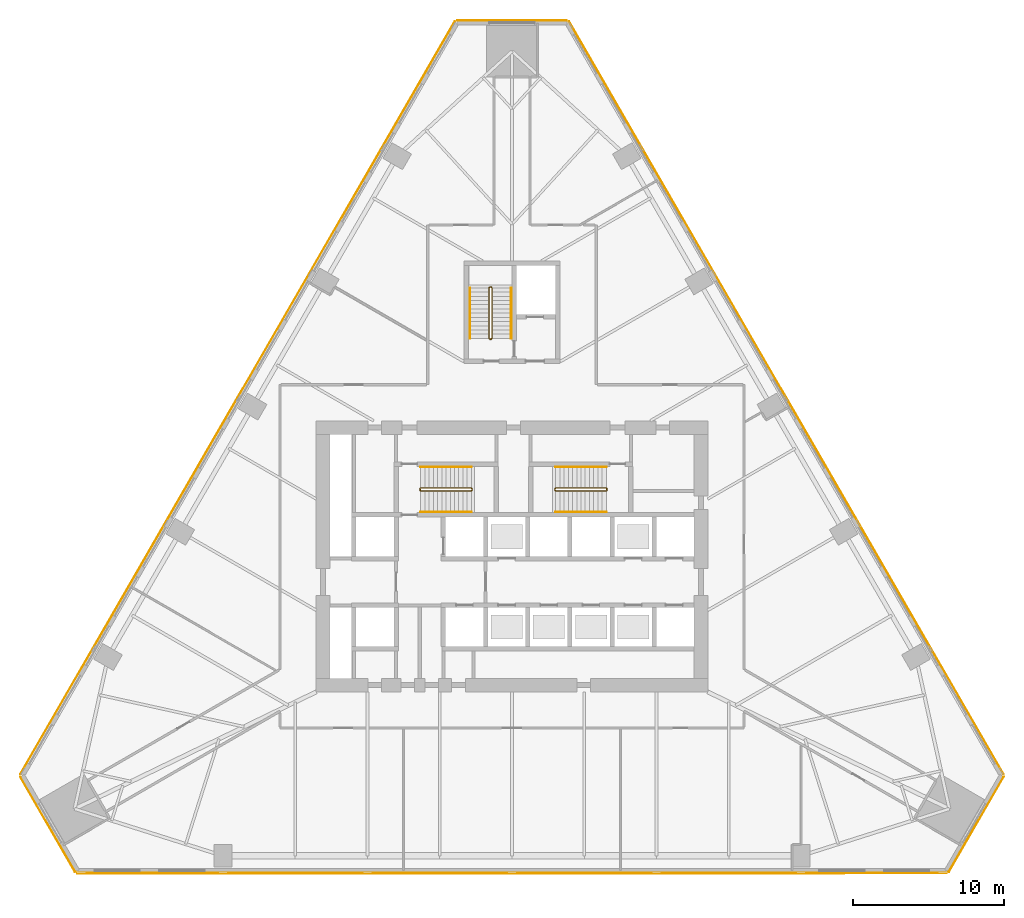
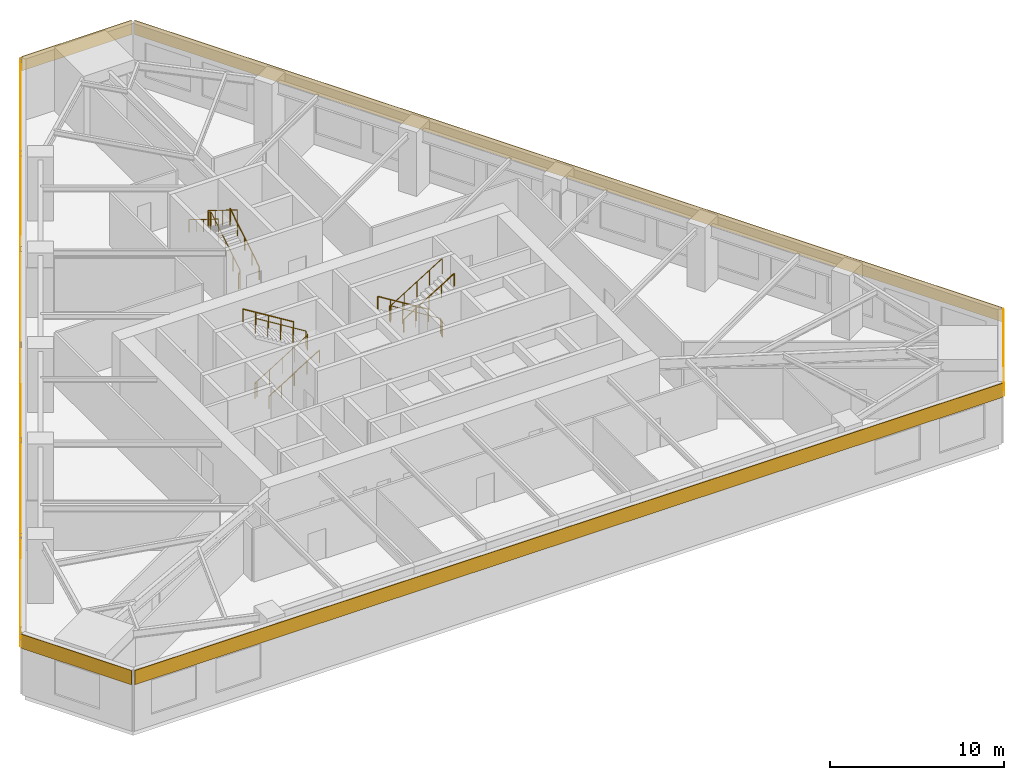
# One storey, part 13 of 14: 9 railings, 6 coverings.
"""IFC4 building model written with IfcOpenShell, lengths in metres."""

from ifc_helpers import new_model, si_unit, direction, frame, origin, origin_2d, place, context, subcontext, project, spatial, polyline, circle, outline, extrude, material, layer, layer_set, type_object, element, save


model = new_model("IFC4")

# Units and contexts
model_context = context("Model", 3, precision=1e-05, world=origin(), true_north=direction((0.0, 1.0)))
body_context = subcontext(model_context, "Body", "Model", "MODEL_VIEW")
ifc_project = project(units=[si_unit("LENGTHUNIT", "METRE"), si_unit("AREAUNIT", "SQUARE_METRE"), si_unit("VOLUMEUNIT", "CUBIC_METRE"), si_unit("PLANEANGLEUNIT", "RADIAN"), si_unit("MASSUNIT", "GRAM", prefix="KILO")], contexts=[model_context])

# Site, building, storey
site_placement = place(None, origin())
site = spatial("IfcSite", under=ifc_project, at=site_placement, CompositionType="ELEMENT")
building_placement = place(site_placement, origin())
building = spatial("IfcBuilding", under=site, at=building_placement, Name="Firuza Gate Tower and Library", CompositionType="ELEMENT")
storey_placement = place(building_placement, frame((0.0, 0.0, 35.5)))
storey = spatial("IfcBuildingStorey", under=building, at=storey_placement, Name="L07", CompositionType="ELEMENT", Elevation=35.5)

# Coverings
ifc_material_1 = material(Name="Glazed ceramic tile, cobalt")
ifc_layer_1 = layer(ifc_material_1, 0.0400390625)
ifc_layer_set_1 = layer_set([ifc_layer_1], Name="Cobalt glazed tile band 40")
covering_type_1 = type_object("IfcCoveringType", Name="Cobalt glazed tile band 40", PredefinedType="CLADDING", material=ifc_layer_set_1)
covering_1_placement = place(storey_placement, frame((46.14794921875, 53.935302734375, 3.300048828125), z_axis=(0.0, -1.0, 0.0), x_axis=(1.0, 0.0, 0.0)))
element("IfcCovering", 1, at=covering_1_placement, inside=storey, type_object=covering_type_1, Name="Glazed tile band", PredefinedType="CLADDING", context=body_context, shape_type="SweptSolid", body=[
    extrude(outline(polyline([(0.0, 0.0), (57.7041015625, 0.0), (57.7041015625, 1.0), (0.0, 1.0), (0.0, 0.0)])), origin(), (0.0, 0.0, -1.0), 0.0400390625),
])
for number, where, z_axis, x_axis, name in (
    (2, (107.66845703125, 60.545654296875, 3.300048828125), (0.86602508611, 0.500000550228, 0.0), (-0.500000550228, 0.86602508611, 0.0), "Glazed tile band"),
    (3, (71.18359375, 110.518798828125, 3.300048828125), (-0.86602508611, 0.500000550228, 0.0), (-0.500000550228, -0.86602508611, 0.0), "Glazed tile band"),
):
    element("IfcCovering", number, at=place(storey_placement, frame(where, z_axis=z_axis, x_axis=x_axis)), inside=storey, type_object=covering_type_1, Name=name, PredefinedType="CLADDING", context=body_context, shape_type="SweptSolid", body=[
        extrude(outline(polyline([(0.0, 0.0), (57.70403806169055, 0.0), (57.70403806169055, 1.0), (0.0, 1.0), (0.0, 0.0)])), origin(), (0.0, 0.0, -1.0), 0.0400390625),
    ])

# Railings
ifc_material_2 = material(Name="Steel S355", Category="steel")
railing_type_1 = type_object("IfcRailingType", Name="Stair guard 1100", PredefinedType="GUARDRAIL", material=ifc_material_2)
railing_1_placement = place(storey_placement, frame((68.889892578125, 79.389892578125, 0.0)))
element("IfcRailing", 4, at=railing_1_placement, inside=storey, type_object=railing_type_1, Name="L07 ST1 stair guard 1", PredefinedType="GUARDRAIL", context=body_context, shape_type="SweptSolid", body=[
    extrude(circle(Radius=0.02392578125, at=origin_2d()), frame((0.0, 0.0, 1.076171875), z_axis=(0.0, 1.0, 0.0), x_axis=(-1.0, 0.0, 0.0)), (0.0, 0.0, 1.0), 0.10009765625),
    extrude(circle(Radius=0.02392578125, at=origin_2d()), frame((0.0, 0.10009765625, 1.076171875), z_axis=(0.213529850563, -0.639547942662, 0.73850080024), x_axis=(0.948528701346, 0.316691178788, 0.0)), (0.0, 0.0, 1.0), 0.234375),
    extrude(circle(Radius=0.02392578125, at=origin_2d()), frame((0.050048828125, -0.0498046875, 1.2490234375), z_axis=(0.850623216509, 0.0, 0.525775754039), x_axis=(0.0, 1.0, 0.0)), (0.0, 0.0, 1.0), 3.9501953125),
    extrude(circle(Radius=0.02392578125, at=origin_2d()), frame((3.41015625, -0.0498046875, 3.326171875), z_axis=(0.708833529934, 0.705375805398, 0.0), x_axis=(-0.705375805398, 0.708833529934, 0.0)), (0.0, 0.0, 1.0), 0.070556640625),
    extrude(circle(Radius=0.02392578125, at=origin_2d()), frame((3.460205078125, 0.0, 3.326171875), z_axis=(0.0, 1.0, 0.0), x_axis=(-1.0, 0.0, 0.0)), (0.0, 0.0, 1.0), 0.10009765625),
    extrude(circle(Radius=0.02392578125, at=origin_2d()), frame((3.460205078125, 0.10009765625, 3.326171875), z_axis=(-0.267629722418, 0.267629722418, 0.925607186314), x_axis=(-0.707106781187, -0.707106781187, 0.0)), (0.0, 0.0, 1.0), 0.18701171875),
    extrude(circle(Radius=0.02392578125, at=origin_2d()), frame((3.41015625, 0.150146484375, 3.4990234375), z_axis=(-0.850623216509, 0.0, 0.525775754039), x_axis=(0.0, -1.0, 0.0)), (0.0, 0.0, 1.0), 3.9501953125),
    extrude(circle(Radius=0.02099609375, at=origin_2d()), origin(), (0.0, 0.0, 1.0), 1.052001953125),
    extrude(circle(Radius=0.02099609375, at=origin_2d()), frame((0.0, 0.10009765625, 0.0)), (0.0, 0.0, 1.0), 1.052001953125),
    extrude(circle(Radius=0.02099609375, at=origin_2d()), frame((0.050048828125, -0.0498046875, 0.173095703125)), (0.0, 0.0, 1.0), 1.052001953125),
    extrude(circle(Radius=0.02099609375, at=origin_2d()), frame((0.89013671875, -0.0498046875, 0.6923828125)), (0.0, 0.0, 1.0), 1.052001953125),
    extrude(circle(Radius=0.02099609375, at=origin_2d()), frame((1.72998046875, -0.0498046875, 1.21142578125)), (0.0, 0.0, 1.0), 1.052001953125),
    extrude(circle(Radius=0.02099609375, at=origin_2d()), frame((2.570068359375, -0.0498046875, 1.730712890625)), (0.0, 0.0, 1.0), 1.052001953125),
    extrude(circle(Radius=0.02099609375, at=origin_2d()), frame((3.41015625, -0.0498046875, 2.25)), (0.0, 0.0, 1.0), 1.052001953125),
    extrude(circle(Radius=0.02099609375, at=origin_2d()), frame((3.460205078125, 0.0, 2.25)), (0.0, 0.0, 1.0), 1.052001953125),
    extrude(circle(Radius=0.02099609375, at=origin_2d()), frame((3.460205078125, 0.10009765625, 2.25)), (0.0, 0.0, 1.0), 1.052001953125),
    extrude(circle(Radius=0.02099609375, at=origin_2d()), frame((3.41015625, 0.150146484375, 2.423095703125)), (0.0, 0.0, 1.0), 1.052001953125),
    extrude(circle(Radius=0.02099609375, at=origin_2d()), frame((2.570068359375, 0.150146484375, 2.9423828125)), (0.0, 0.0, 1.0), 1.052001953125),
    extrude(circle(Radius=0.02099609375, at=origin_2d()), frame((1.72998046875, 0.150146484375, 3.46142578125)), (0.0, 0.0, 1.0), 1.052001953125),
    extrude(circle(Radius=0.02099609375, at=origin_2d()), frame((0.89013671875, 0.150146484375, 3.980712890625)), (0.0, 0.0, 1.0), 1.052001953125),
    extrude(circle(Radius=0.02099609375, at=origin_2d()), frame((0.050048828125, 0.150146484375, 4.5)), (0.0, 0.0, 1.0), 1.052001953125),
])
railing_2_placement = place(storey_placement, frame((81.31005859375, 79.489990234375, 0.0)))
element("IfcRailing", 5, at=railing_2_placement, inside=storey, type_object=railing_type_1, Name="L07 ST2 stair guard 1", PredefinedType="GUARDRAIL", context=body_context, shape_type="SweptSolid", body=[
    extrude(circle(Radius=0.02392578125, at=origin_2d()), frame((0.0, 0.0, 1.076171875), z_axis=(0.0, -1.0, 0.0), x_axis=(1.0, 0.0, 0.0)), (0.0, 0.0, 1.0), 0.10009765625),
    extrude(circle(Radius=0.02392578125, at=origin_2d()), frame((0.0, -0.10009765625, 1.076171875), z_axis=(-0.213387632126, 0.640162896378, 0.738008932572), x_axis=(-0.948683298051, -0.316227766017, 0.0)), (0.0, 0.0, 1.0), 0.234619140625),
    extrude(circle(Radius=0.02392578125, at=origin_2d()), frame((-0.050048828125, 0.050048828125, 1.2490234375), z_axis=(-0.850623216509, 0.0, 0.525775754039), x_axis=(0.0, -1.0, 0.0)), (0.0, 0.0, 1.0), 3.9501953125),
    extrude(circle(Radius=0.02392578125, at=origin_2d()), frame((-3.41015625, 0.050048828125, 3.326171875), z_axis=(-0.705375805398, -0.708833529934, 0.0), x_axis=(0.708833529934, -0.705375805398, 0.0)), (0.0, 0.0, 1.0), 0.070556640625),
    extrude(circle(Radius=0.02392578125, at=origin_2d()), frame((-3.4599609375, 0.0, 3.326171875), z_axis=(0.0, -1.0, 0.0), x_axis=(1.0, 0.0, 0.0)), (0.0, 0.0, 1.0), 0.10009765625),
    extrude(circle(Radius=0.02392578125, at=origin_2d()), frame((-3.4599609375, -0.10009765625, 3.326171875), z_axis=(0.26651005591, -0.26651005591, 0.926253086471), x_axis=(0.707106781187, 0.707106781187, 0.0)), (0.0, 0.0, 1.0), 0.186767578125),
    extrude(circle(Radius=0.02392578125, at=origin_2d()), frame((-3.41015625, -0.14990234375, 3.4990234375), z_axis=(0.850623216509, 0.0, 0.525775754039), x_axis=(0.0, 1.0, 0.0)), (0.0, 0.0, 1.0), 3.9501953125),
    extrude(circle(Radius=0.02099609375, at=origin_2d()), origin(), (0.0, 0.0, 1.0), 1.052001953125),
    extrude(circle(Radius=0.02099609375, at=origin_2d()), frame((0.0, -0.10009765625, 0.0)), (0.0, 0.0, 1.0), 1.052001953125),
    extrude(circle(Radius=0.02099609375, at=origin_2d()), frame((-0.050048828125, 0.050048828125, 0.173095703125)), (0.0, 0.0, 1.0), 1.052001953125),
    extrude(circle(Radius=0.02099609375, at=origin_2d()), frame((-0.89013671875, 0.050048828125, 0.6923828125)), (0.0, 0.0, 1.0), 1.052001953125),
    extrude(circle(Radius=0.02099609375, at=origin_2d()), frame((-1.72998046875, 0.050048828125, 1.21142578125)), (0.0, 0.0, 1.0), 1.052001953125),
    extrude(circle(Radius=0.02099609375, at=origin_2d()), frame((-2.570068359375, 0.050048828125, 1.730712890625)), (0.0, 0.0, 1.0), 1.052001953125),
    extrude(circle(Radius=0.02099609375, at=origin_2d()), frame((-3.41015625, 0.050048828125, 2.25)), (0.0, 0.0, 1.0), 1.052001953125),
    extrude(circle(Radius=0.02099609375, at=origin_2d()), frame((-3.4599609375, 0.0, 2.25)), (0.0, 0.0, 1.0), 1.052001953125),
    extrude(circle(Radius=0.02099609375, at=origin_2d()), frame((-3.4599609375, -0.10009765625, 2.25)), (0.0, 0.0, 1.0), 1.052001953125),
    extrude(circle(Radius=0.02099609375, at=origin_2d()), frame((-3.41015625, -0.14990234375, 2.423095703125)), (0.0, 0.0, 1.0), 1.052001953125),
    extrude(circle(Radius=0.02099609375, at=origin_2d()), frame((-2.570068359375, -0.14990234375, 2.9423828125)), (0.0, 0.0, 1.0), 1.052001953125),
    extrude(circle(Radius=0.02099609375, at=origin_2d()), frame((-1.72998046875, -0.14990234375, 3.46142578125)), (0.0, 0.0, 1.0), 1.052001953125),
    extrude(circle(Radius=0.02099609375, at=origin_2d()), frame((-0.89013671875, -0.14990234375, 3.980712890625)), (0.0, 0.0, 1.0), 1.052001953125),
    extrude(circle(Radius=0.02099609375, at=origin_2d()), frame((-0.050048828125, -0.14990234375, 4.5)), (0.0, 0.0, 1.0), 1.052001953125),
])
railing_3_placement = place(storey_placement, frame((73.6298828125, 89.419921875, 0.0)))
element("IfcRailing", 6, at=railing_3_placement, inside=storey, type_object=railing_type_1, Name="L07 ST3 stair guard 1", PredefinedType="GUARDRAIL", context=body_context, shape_type="SweptSolid", body=[
    extrude(circle(Radius=0.02392578125, at=origin_2d()), frame((0.0, 0.0, 1.076171875), z_axis=(-1.0, 0.0, 0.0), x_axis=(0.0, -1.0, 0.0)), (0.0, 0.0, 1.0), 0.099853515625),
    extrude(circle(Radius=0.02392578125, at=origin_2d()), frame((-0.099853515625, 0.0, 1.076171875), z_axis=(0.639547942662, 0.213529850563, 0.73850080024), x_axis=(-0.316691178788, 0.948528701346, 0.0)), (0.0, 0.0, 1.0), 0.234375),
    extrude(circle(Radius=0.02392578125, at=origin_2d()), frame((0.050048828125, 0.050048828125, 1.2490234375), z_axis=(0.0, 0.850623216509, 0.525775754039), x_axis=(-1.0, 0.0, 0.0)), (0.0, 0.0, 1.0), 3.9501953125),
    extrude(circle(Radius=0.02392578125, at=origin_2d()), frame((0.050048828125, 3.41015625, 3.326171875), z_axis=(-0.708833529934, 0.705375805398, 0.0), x_axis=(-0.705375805398, -0.708833529934, 0.0)), (0.0, 0.0, 1.0), 0.070556640625),
    extrude(circle(Radius=0.02392578125, at=origin_2d()), frame((0.0, 3.4599609375, 3.326171875), z_axis=(-1.0, 0.0, 0.0), x_axis=(0.0, -1.0, 0.0)), (0.0, 0.0, 1.0), 0.099853515625),
    extrude(circle(Radius=0.02392578125, at=origin_2d()), frame((-0.099853515625, 3.4599609375, 3.326171875), z_axis=(-0.267723051232, -0.266417085129, 0.925929967433), x_axis=(0.705375805398, -0.708833529934, 0.0)), (0.0, 0.0, 1.0), 0.18701171875),
    extrude(circle(Radius=0.02392578125, at=origin_2d()), frame((-0.14990234375, 3.41015625, 3.4990234375), z_axis=(0.0, -0.850623216509, 0.525775754039), x_axis=(1.0, 0.0, 0.0)), (0.0, 0.0, 1.0), 3.9501953125),
    extrude(circle(Radius=0.02099609375, at=origin_2d()), origin(), (0.0, 0.0, 1.0), 1.052001953125),
    extrude(circle(Radius=0.02099609375, at=origin_2d()), frame((-0.099853515625, 0.0, 0.0)), (0.0, 0.0, 1.0), 1.052001953125),
    extrude(circle(Radius=0.02099609375, at=origin_2d()), frame((0.050048828125, 0.050048828125, 0.173095703125)), (0.0, 0.0, 1.0), 1.052001953125),
    extrude(circle(Radius=0.02099609375, at=origin_2d()), frame((0.050048828125, 0.89013671875, 0.6923828125)), (0.0, 0.0, 1.0), 1.052001953125),
    extrude(circle(Radius=0.02099609375, at=origin_2d()), frame((0.050048828125, 1.72998046875, 1.21142578125)), (0.0, 0.0, 1.0), 1.052001953125),
    extrude(circle(Radius=0.02099609375, at=origin_2d()), frame((0.050048828125, 2.570068359375, 1.730712890625)), (0.0, 0.0, 1.0), 1.052001953125),
    extrude(circle(Radius=0.02099609375, at=origin_2d()), frame((0.050048828125, 3.41015625, 2.25)), (0.0, 0.0, 1.0), 1.052001953125),
    extrude(circle(Radius=0.02099609375, at=origin_2d()), frame((0.0, 3.4599609375, 2.25)), (0.0, 0.0, 1.0), 1.052001953125),
    extrude(circle(Radius=0.02099609375, at=origin_2d()), frame((-0.099853515625, 3.4599609375, 2.25)), (0.0, 0.0, 1.0), 1.052001953125),
    extrude(circle(Radius=0.02099609375, at=origin_2d()), frame((-0.14990234375, 3.41015625, 2.423095703125)), (0.0, 0.0, 1.0), 1.052001953125),
    extrude(circle(Radius=0.02099609375, at=origin_2d()), frame((-0.14990234375, 2.570068359375, 2.9423828125)), (0.0, 0.0, 1.0), 1.052001953125),
    extrude(circle(Radius=0.02099609375, at=origin_2d()), frame((-0.14990234375, 1.72998046875, 3.46142578125)), (0.0, 0.0, 1.0), 1.052001953125),
    extrude(circle(Radius=0.02099609375, at=origin_2d()), frame((-0.14990234375, 0.89013671875, 3.980712890625)), (0.0, 0.0, 1.0), 1.052001953125),
    extrude(circle(Radius=0.02099609375, at=origin_2d()), frame((-0.14990234375, 0.050048828125, 4.5)), (0.0, 0.0, 1.0), 1.052001953125),
])
ifc_material_3 = material(Name="Steel S355", Category="steel")
railing_type_2 = type_object("IfcRailingType", Name="Stair handrail 900", PredefinedType="HANDRAIL", material=ifc_material_3)
railing_4_placement = place(storey_placement, frame((68.93994140625, 77.949951171875, 0.173095703125)))
element("IfcRailing", 7, at=railing_4_placement, inside=storey, type_object=railing_type_2, Name="L07 ST1 stair handrail 1", PredefinedType="HANDRAIL", context=body_context, shape_type="SweptSolid", body=[
    extrude(circle(Radius=0.02392578125, at=origin_2d()), frame((0.0, 0.0, 0.8759765625), z_axis=(0.850623216509, 0.0, 0.525775754039), x_axis=(0.0, 1.0, 0.0)), (0.0, 0.0, 1.0), 3.9501953125),
    extrude(circle(Radius=0.02099609375, at=origin_2d()), origin(), (0.0, 0.0, 1.0), 0.851806640625),
    extrude(circle(Radius=0.02099609375, at=origin_2d()), frame((0.840087890625, 0.0, 0.519287109375)), (0.0, 0.0, 1.0), 0.851806640625),
    extrude(circle(Radius=0.02099609375, at=origin_2d()), frame((1.68017578125, 0.0, 1.03857421875)), (0.0, 0.0, 1.0), 0.851806640625),
    extrude(circle(Radius=0.02099609375, at=origin_2d()), frame((2.52001953125, 0.0, 1.5576171875)), (0.0, 0.0, 1.0), 0.851806640625),
    extrude(circle(Radius=0.02099609375, at=origin_2d()), frame((3.360107421875, 0.0, 2.076904296875)), (0.0, 0.0, 1.0), 0.851806640625),
])
for number, where, name in (
    (8, (72.300048828125, 80.929931640625, 2.423095703125), "L07 ST1 stair handrail 2"),
    (9, (81.260009765625, 80.929931640625, 0.173095703125), "L07 ST2 stair handrail 1"),
):
    element("IfcRailing", number, at=place(storey_placement, frame(where)), inside=storey, type_object=railing_type_2, Name=name, PredefinedType="HANDRAIL", context=body_context, shape_type="SweptSolid", body=[
        extrude(circle(Radius=0.02392578125, at=origin_2d()), frame((0.0, 0.0, 0.8759765625), z_axis=(-0.850623216509, 0.0, 0.525775754039), x_axis=(0.0, -1.0, 0.0)), (0.0, 0.0, 1.0), 3.9501953125),
        extrude(circle(Radius=0.02099609375, at=origin_2d()), origin(), (0.0, 0.0, 1.0), 0.851806640625),
        extrude(circle(Radius=0.02099609375, at=origin_2d()), frame((-0.840087890625, 0.0, 0.519287109375)), (0.0, 0.0, 1.0), 0.851806640625),
        extrude(circle(Radius=0.02099609375, at=origin_2d()), frame((-1.68017578125, 0.0, 1.03857421875)), (0.0, 0.0, 1.0), 0.851806640625),
        extrude(circle(Radius=0.02099609375, at=origin_2d()), frame((-2.52001953125, 0.0, 1.5576171875)), (0.0, 0.0, 1.0), 0.851806640625),
        extrude(circle(Radius=0.02099609375, at=origin_2d()), frame((-3.360107421875, 0.0, 2.076904296875)), (0.0, 0.0, 1.0), 0.851806640625),
    ])
railing_5_placement = place(storey_placement, frame((77.89990234375, 77.949951171875, 2.423095703125)))
element("IfcRailing", 10, at=railing_5_placement, inside=storey, type_object=railing_type_2, Name="L07 ST2 stair handrail 2", PredefinedType="HANDRAIL", context=body_context, shape_type="SweptSolid", body=[
    extrude(circle(Radius=0.02392578125, at=origin_2d()), frame((0.0, 0.0, 0.8759765625), z_axis=(0.850623216509, 0.0, 0.525775754039), x_axis=(0.0, 1.0, 0.0)), (0.0, 0.0, 1.0), 3.9501953125),
    extrude(circle(Radius=0.02099609375, at=origin_2d()), origin(), (0.0, 0.0, 1.0), 0.851806640625),
    extrude(circle(Radius=0.02099609375, at=origin_2d()), frame((0.840087890625, 0.0, 0.519287109375)), (0.0, 0.0, 1.0), 0.851806640625),
    extrude(circle(Radius=0.02099609375, at=origin_2d()), frame((1.68017578125, 0.0, 1.03857421875)), (0.0, 0.0, 1.0), 0.851806640625),
    extrude(circle(Radius=0.02099609375, at=origin_2d()), frame((2.52001953125, 0.0, 1.5576171875)), (0.0, 0.0, 1.0), 0.851806640625),
    extrude(circle(Radius=0.02099609375, at=origin_2d()), frame((3.360107421875, 0.0, 2.076904296875)), (0.0, 0.0, 1.0), 0.851806640625),
])
railing_6_placement = place(storey_placement, frame((74.949951171875, 89.469970703125, 0.173095703125)))
element("IfcRailing", 11, at=railing_6_placement, inside=storey, type_object=railing_type_2, Name="L07 ST3 stair handrail 1", PredefinedType="HANDRAIL", context=body_context, shape_type="SweptSolid", body=[
    extrude(circle(Radius=0.02392578125, at=origin_2d()), frame((0.0, 0.0, 0.8759765625), z_axis=(0.0, 0.850623216509, 0.525775754039), x_axis=(-1.0, 0.0, 0.0)), (0.0, 0.0, 1.0), 3.9501953125),
    extrude(circle(Radius=0.02099609375, at=origin_2d()), origin(), (0.0, 0.0, 1.0), 0.851806640625),
    extrude(circle(Radius=0.02099609375, at=origin_2d()), frame((0.0, 0.840087890625, 0.519287109375)), (0.0, 0.0, 1.0), 0.851806640625),
    extrude(circle(Radius=0.02099609375, at=origin_2d()), frame((0.0, 1.68017578125, 1.03857421875)), (0.0, 0.0, 1.0), 0.851806640625),
    extrude(circle(Radius=0.02099609375, at=origin_2d()), frame((0.0, 2.52001953125, 1.5576171875)), (0.0, 0.0, 1.0), 0.851806640625),
    extrude(circle(Radius=0.02099609375, at=origin_2d()), frame((0.0, 3.360107421875, 2.076904296875)), (0.0, 0.0, 1.0), 0.851806640625),
])
railing_7_placement = place(storey_placement, frame((72.2099609375, 92.830078125, 2.423095703125)))
element("IfcRailing", 12, at=railing_7_placement, inside=storey, type_object=railing_type_2, Name="L07 ST3 stair handrail 2", PredefinedType="HANDRAIL", context=body_context, shape_type="SweptSolid", body=[
    extrude(circle(Radius=0.02392578125, at=origin_2d()), frame((0.0, 0.0, 0.8759765625), z_axis=(0.0, -0.850623216509, 0.525775754039), x_axis=(1.0, 0.0, 0.0)), (0.0, 0.0, 1.0), 3.9501953125),
    extrude(circle(Radius=0.02099609375, at=origin_2d()), origin(), (0.0, 0.0, 1.0), 0.851806640625),
    extrude(circle(Radius=0.02099609375, at=origin_2d()), frame((0.0, -0.840087890625, 0.519287109375)), (0.0, 0.0, 1.0), 0.851806640625),
    extrude(circle(Radius=0.02099609375, at=origin_2d()), frame((0.0, -1.68017578125, 1.03857421875)), (0.0, 0.0, 1.0), 0.851806640625),
    extrude(circle(Radius=0.02099609375, at=origin_2d()), frame((0.0, -2.52001953125, 1.5576171875)), (0.0, 0.0, 1.0), 0.851806640625),
    extrude(circle(Radius=0.02099609375, at=origin_2d()), frame((0.0, -3.360107421875, 2.076904296875)), (0.0, 0.0, 1.0), 0.851806640625),
])

# Coverings
ifc_material_4 = material(Name="Glazed ceramic tile, turquoise")
ifc_layer_2 = layer(ifc_material_4, 0.0400390625)
ifc_layer_set_2 = layer_set([ifc_layer_2], Name="Turquoise glazed tile band 40")
covering_type_2 = type_object("IfcCoveringType", Name="Turquoise glazed tile band 40", PredefinedType="CLADDING", material=ifc_layer_set_2)
covering_2_placement = place(storey_placement, frame((104.0166015625, 54.0302734375, 3.300048828125), z_axis=(0.866033626628, -0.499985757347, 0.0), x_axis=(0.499985757347, 0.866033626628, 0.0)))
element("IfcCovering", 13, at=covering_2_placement, inside=storey, type_object=covering_type_2, Name="Glazed tile band", PredefinedType="CLADDING", context=body_context, shape_type="SweptSolid", body=[
    extrude(outline(polyline([(0.0, 0.0), (7.303918991869336, 0.0), (7.303918991869336, 1.0), (0.0, 1.0), (0.0, 0.0)])), origin(), (0.0, 0.0, -1.0), 0.0400390625),
])
covering_3_placement = place(storey_placement, frame((78.65185546875, 110.61376953125, 3.300048828125), z_axis=(0.0, 1.0, 0.0), x_axis=(-1.0, 0.0, 0.0)))
element("IfcCovering", 14, at=covering_3_placement, inside=storey, type_object=covering_type_2, Name="Glazed tile band", PredefinedType="CLADDING", context=body_context, shape_type="SweptSolid", body=[
    extrude(outline(polyline([(0.0, 0.0), (7.3037109375, 0.0), (7.3037109375, 1.0), (0.0, 1.0), (0.0, 0.0)])), origin(), (0.0, 0.0, -1.0), 0.0400390625),
])
covering_4_placement = place(storey_placement, frame((42.33154296875, 60.355712890625, 3.300048828125), z_axis=(-0.866033626628, -0.499985757347, 0.0), x_axis=(0.499985757347, -0.866033626628, 0.0)))
element("IfcCovering", 15, at=covering_4_placement, inside=storey, type_object=covering_type_2, Name="Glazed tile band", PredefinedType="CLADDING", context=body_context, shape_type="SweptSolid", body=[
    extrude(outline(polyline([(0.0, 0.0), (7.303918991869336, 0.0), (7.303918991869336, 1.0), (0.0, 1.0), (0.0, 0.0)])), origin(), (0.0, 0.0, -1.0), 0.0400390625),
])

save(model, "model.ifc")
